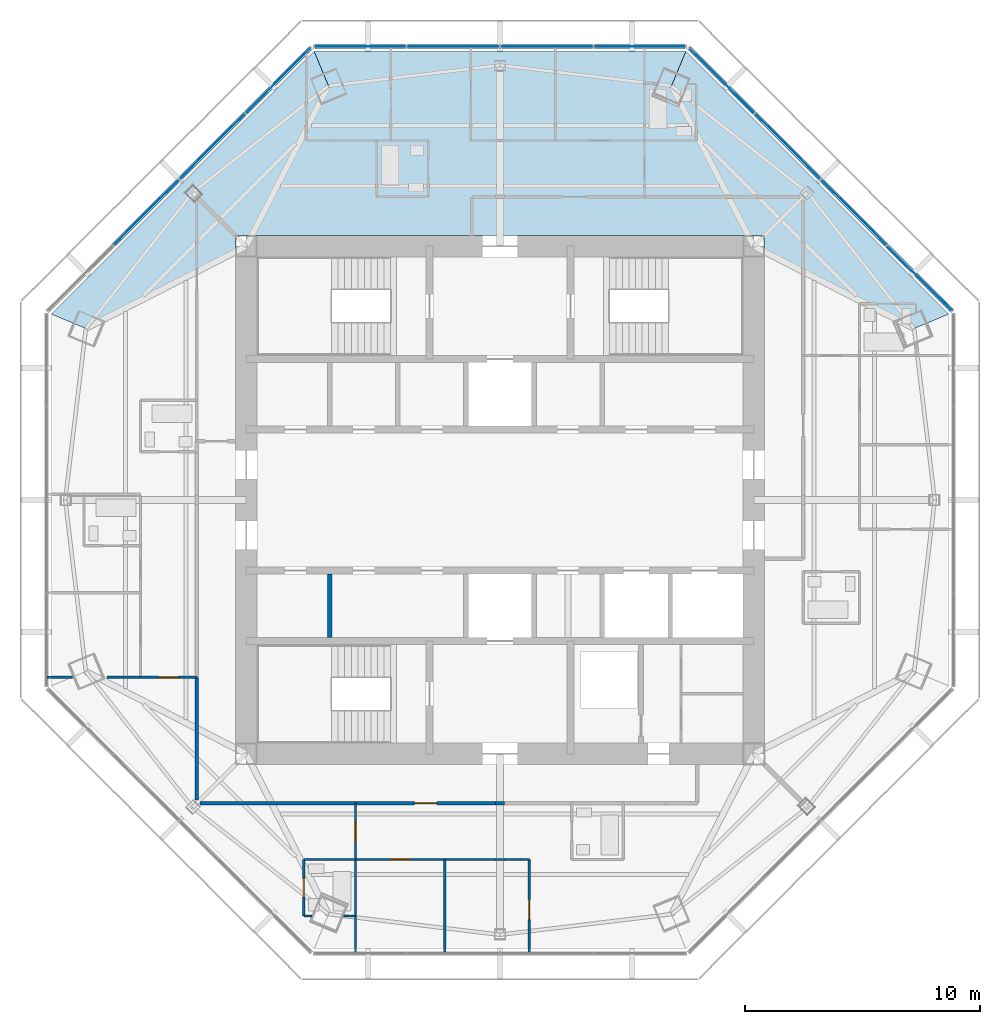
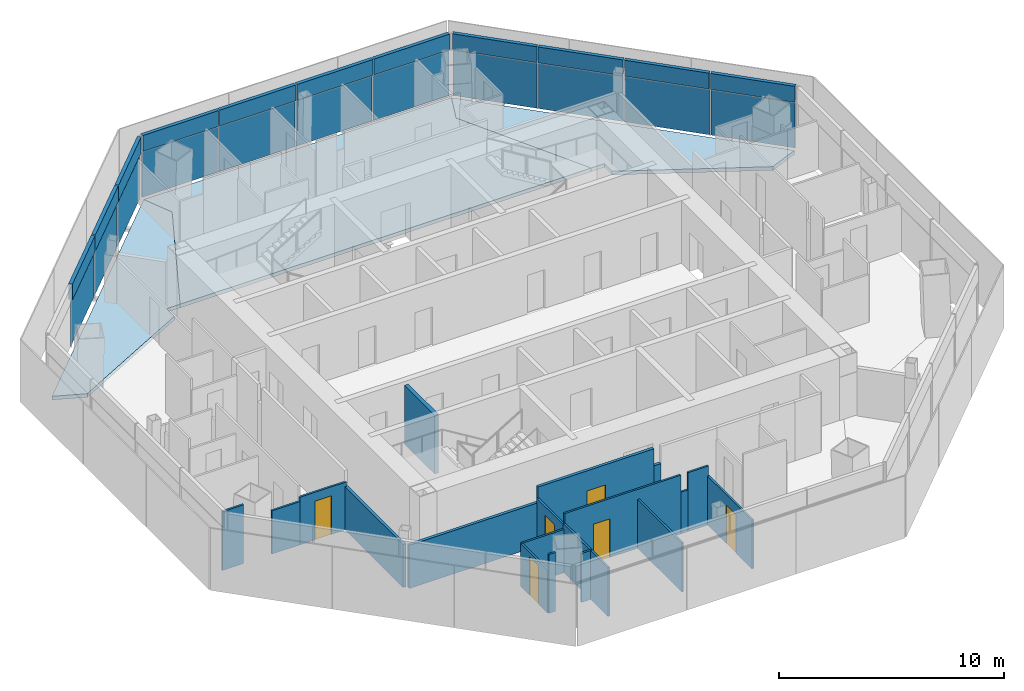
# One storey, part 8 of 15: 22 plates, 20 walls, 6 doors, 3 slabs, 6 openings, 3 elements without a shape of their own.
"""IFC4 building model written with IfcOpenShell, lengths in metres."""

import ifcopenshell
import ifcopenshell.guid

model = None  # the IFC model being written
_history = None  # IfcOwnerHistory: only IFC2X3 demands one
_inside = {}  # id of a spatial element -> (the spatial element, [elements in it])
_under = {}  # id of a project, library or spatial element -> (it, [spatial elements below it])
_declared = {}  # id of a project -> (the project, [libraries it declares])
_typed = {}  # id of a type object -> (the type object, [elements of that type])
_made_of = {}  # id of a material, layer set ... -> (it, [elements and type objects made of it])


def new_model(schema):
    """Start an empty IFC model of exactly this schema.

    Asked for "IFC4X3", IfcOpenShell would pick the latest addendum, in which some entities
    have other attributes; the version numbers below select the first issue.
    IFC2X3 requires an IfcOwnerHistory on every rooted entity: one is made here for all.
    """
    global model, _history
    if schema == "IFC4X3":
        model = ifcopenshell.file(schema_version=(4, 3, 0, 0))
    else:
        model = ifcopenshell.file(schema=schema)
    _inside.clear()
    _under.clear()
    _declared.clear()
    _typed.clear()
    _made_of.clear()
    _history = None
    if model.schema == "IFC2X3":
        org = make("IfcOrganization", Name="unknown")
        user = make(
            "IfcPersonAndOrganization",
            ThePerson=make("IfcPerson", FamilyName="unknown"),
            TheOrganization=org,
        )
        app = make(
            "IfcApplication",
            ApplicationDeveloper=org,
            Version="unknown",
            ApplicationFullName="unknown",
            ApplicationIdentifier="unknown",
        )
        _history = make(
            "IfcOwnerHistory",
            OwningUser=user,
            OwningApplication=app,
            ChangeAction="ADDED",
            CreationDate=0,
        )
    return model


def make(cls, **values):
    """One entity of the class cls with the attributes given. An attribute that is None is left unset."""
    return model.create_entity(
        cls, **{name: value for name, value in values.items() if value is not None}
    )


def rooted(cls, **values):
    """An entity with a GlobalId (a new one), such as an element, a storey or a relation."""
    return make(cls, GlobalId=ifcopenshell.guid.new(), OwnerHistory=_history, **values)


def si_unit(unit_type, name, prefix=None):
    """IfcSIUnit, for example si_unit("LENGTHUNIT", "METRE", prefix="MILLI")."""
    return make("IfcSIUnit", UnitType=unit_type, Prefix=prefix, Name=name)


def assignment(units):
    """IfcUnitAssignment: the units of a project."""
    return None if units is None else make("IfcUnitAssignment", Units=units)


def point(xyz):
    """IfcCartesianPoint."""
    return None if xyz is None else make("IfcCartesianPoint", Coordinates=xyz)


def direction(xyz):
    """IfcDirection."""
    return None if xyz is None else make("IfcDirection", DirectionRatios=xyz)


def frame(location, z_axis=None, x_axis=None):
    """IfcAxis2Placement3D, a coordinate frame: its origin and axes. An axis left out is left unset."""
    return make(
        "IfcAxis2Placement3D",
        Location=point(location),
        Axis=direction(z_axis),
        RefDirection=direction(x_axis),
    )


def frame_2d(location, x_axis=None):
    """IfcAxis2Placement2D, a coordinate frame in the plane: its origin and x axis."""
    return make(
        "IfcAxis2Placement2D", Location=point(location), RefDirection=direction(x_axis)
    )


def origin():
    """The frame at (0, 0, 0) with its axes left unset."""
    return frame((0.0, 0.0, 0.0))


def origin_2d():
    """The frame at (0, 0) in the plane with its x axis left unset."""
    return frame_2d((0.0, 0.0))


def place(relative_to, where):
    """IfcLocalPlacement: puts the frame where relative to a parent placement (None: the world)."""
    return make(
        "IfcLocalPlacement", PlacementRelTo=relative_to, RelativePlacement=where
    )


def context(
    kind, dimensions, precision=None, world=None, true_north=None, identifier=None
):
    """IfcGeometricRepresentationContext, for example the 3D "Model" context."""
    return make(
        "IfcGeometricRepresentationContext",
        ContextIdentifier=identifier,
        ContextType=kind,
        CoordinateSpaceDimension=dimensions,
        Precision=precision,
        WorldCoordinateSystem=world,
        TrueNorth=true_north,
    )


def subcontext(parent, identifier, kind, view, scale=None):
    """IfcGeometricRepresentationSubContext, for example "Body" below "Model"."""
    return make(
        "IfcGeometricRepresentationSubContext",
        ContextIdentifier=identifier,
        ContextType=kind,
        ParentContext=parent,
        TargetScale=scale,
        TargetView=view,
    )


def project(units=None, contexts=None):
    """IfcProject with its units and contexts."""
    return rooted(
        "IfcProject",
        Name="project",
        RepresentationContexts=contexts,
        UnitsInContext=assignment(units),
    )


def spatial(cls, under=None, at=None, **own):
    """A site, building, storey or space (cls), placed at a placement, below another one or the project."""
    s = rooted(cls, ObjectPlacement=at, **own)
    if under is not None:
        _under.setdefault(under.id(), (under, []))[1].append(s)
    return s


def polyline(points):
    """IfcPolyline through the points."""
    return make("IfcPolyline", Points=[point(p) for p in points])


def profile(cls, at=None, kind="AREA", **sizes):
    """A parametric profile (cls). Its sizes go by their IFC names, for example OverallWidth=200.0."""
    return make(cls, ProfileType=kind, Position=at, **sizes)


def rectangle(**sizes):
    """IfcRectangleProfileDef."""
    return profile("IfcRectangleProfileDef", **sizes)


def outline(outer, holes=None, kind="AREA"):
    """IfcArbitraryClosedProfileDef: a profile drawn as a closed curve; with holes, ...WithVoids."""
    if holes is None:
        return make("IfcArbitraryClosedProfileDef", ProfileType=kind, OuterCurve=outer)
    return make(
        "IfcArbitraryProfileDefWithVoids",
        ProfileType=kind,
        OuterCurve=outer,
        InnerCurves=holes,
    )


def extrude(swept, where, along, depth):
    """IfcExtrudedAreaSolid: the profile swept, set in the frame where, extruded along a direction by depth."""
    return make(
        "IfcExtrudedAreaSolid",
        SweptArea=swept,
        Position=where,
        ExtrudedDirection=direction(along),
        Depth=depth,
    )


def shape(context_of_items, identifier, shape_type, items):
    """IfcShapeRepresentation: the items that make up one representation, for example the "Body"."""
    return make(
        "IfcShapeRepresentation",
        ContextOfItems=context_of_items,
        RepresentationIdentifier=identifier,
        RepresentationType=shape_type,
        Items=items,
    )


def source(mapping_origin, context_of_items, identifier, shape_type, items):
    """IfcRepresentationMap: a shape defined once, which mapped items show again and again."""
    return make(
        "IfcRepresentationMap",
        MappingOrigin=mapping_origin,
        MappedRepresentation=shape(context_of_items, identifier, shape_type, items),
    )


def transform(
    local_origin,
    x_axis=None,
    y_axis=None,
    z_axis=None,
    scale=None,
    scale2=None,
    scale3=None,
    uniform=True,
):
    """IfcCartesianTransformationOperator3D, or its non-uniform kind. x_axis, y_axis, z_axis: its Axis1, 2, 3."""
    if uniform:
        return make(
            "IfcCartesianTransformationOperator3D",
            Axis1=direction(x_axis),
            Axis2=direction(y_axis),
            LocalOrigin=point(local_origin),
            Scale=scale,
            Axis3=direction(z_axis),
        )
    return make(
        "IfcCartesianTransformationOperator3DnonUniform",
        Axis1=direction(x_axis),
        Axis2=direction(y_axis),
        LocalOrigin=point(local_origin),
        Scale=scale,
        Axis3=direction(z_axis),
        Scale2=scale2,
        Scale3=scale3,
    )


def mapped(mapping_source, mapping_target):
    """IfcMappedItem: shows the shape of a source again, moved by a transform."""
    return make(
        "IfcMappedItem", MappingSource=mapping_source, MappingTarget=mapping_target
    )


def material(Name=None, Category=None):
    """IfcMaterial."""
    return make("IfcMaterial", Name=Name, Category=Category)


def layer(
    of_material, thickness, ventilated=None, Name=None, Category=None, Priority=None
):
    """IfcMaterialLayer: one layer of a wall or slab, of a material (None: an air gap)."""
    return make(
        "IfcMaterialLayer",
        Material=of_material,
        LayerThickness=thickness,
        IsVentilated=ventilated,
        Name=Name,
        Category=Category,
        Priority=Priority,
    )


def layer_set(layers, Name=None):
    """IfcMaterialLayerSet."""
    return make("IfcMaterialLayerSet", MaterialLayers=layers, LayerSetName=Name)


def made_of(thing, what):
    """Note that an element or type object is made of a material, layer set ...; save() writes the relation."""
    if what is not None:
        _made_of.setdefault(what.id(), (what, []))[1].append(thing)
    return thing


def type_object(cls, material=None, **own):
    """A type object (cls), such as IfcWallType, which elements share."""
    return made_of(rooted(cls, **own), material)


def type_shapes(of_type, sources):
    """Give a type object the sources (RepresentationMaps) that its elements show as mapped items."""
    of_type.RepresentationMaps = sources


def element(
    cls,
    number,
    at=None,
    inside=None,
    cuts=None,
    type_object=None,
    material=None,
    context=None,
    identifier="Body",
    shape_type=None,
    held_by="IfcProductDefinitionShape",
    body=None,
    shapes=None,
    **own,
):
    """One element of the class cls, such as IfcWall. Its Tag is "e" and its number.

    at: its placement. inside: the storey or other place that contains it. cuts: it is an
    opening in that element (IfcRelVoidsElement). A single representation is given by context,
    identifier, shape_type and body (its items); several are given by shapes. held_by: the class
    of the entity that holds the representations. save() writes the other relations.
    """
    e = rooted(cls, Tag="e%d" % number, ObjectPlacement=at, **own)
    if body is not None:
        shapes = [shape(context, identifier, shape_type, body)]
    if shapes is not None:
        e.Representation = make(held_by, Representations=shapes)
    if inside is not None:
        _inside.setdefault(inside.id(), (inside, []))[1].append(e)
    if cuts is not None:
        rooted(
            "IfcRelVoidsElement", RelatingBuildingElement=cuts, RelatedOpeningElement=e
        )
    if type_object is not None:
        _typed.setdefault(type_object.id(), (type_object, []))[1].append(e)
    return made_of(e, material)


def fill(opening, filler):
    """IfcRelFillsElement: the door or window that sits in an opening."""
    return rooted(
        "IfcRelFillsElement",
        RelatingOpeningElement=opening,
        RelatedBuildingElement=filler,
    )


def aggregate(whole, parts):
    """IfcRelAggregates: a whole, such as a stair, and the parts it consists of."""
    return rooted("IfcRelAggregates", RelatingObject=whole, RelatedObjects=parts)


def save(model, path):
    """Write the relations noted so far, then the file.

    IfcRelAggregates (storeys below a building ...), IfcRelContainedInSpatialStructure (elements
    in a storey), IfcRelDefinesByType, IfcRelAssociatesMaterial and IfcRelDeclares: one each for
    every whole, place, type object, material and project.
    """
    for whole, parts in _under.values():
        aggregate(whole, parts)
    for where, things in _inside.values():
        rooted(
            "IfcRelContainedInSpatialStructure",
            RelatedElements=things,
            RelatingStructure=where,
        )
    for kind, things in _typed.values():
        rooted("IfcRelDefinesByType", RelatedObjects=things, RelatingType=kind)
    for what, things in _made_of.values():
        rooted("IfcRelAssociatesMaterial", RelatedObjects=things, RelatingMaterial=what)
    for by, libraries in _declared.values():
        rooted("IfcRelDeclares", RelatingContext=by, RelatedDefinitions=libraries)
    model.write(path)


model = new_model("IFC4")

# Units and contexts
model_context = context("Model", 3, precision=1e-05, world=origin(), true_north=direction((0.0, 1.0)))
body_context = subcontext(model_context, "Body", "Model", "MODEL_VIEW")
ifc_project = project(units=[si_unit("LENGTHUNIT", "METRE"), si_unit("AREAUNIT", "SQUARE_METRE"), si_unit("VOLUMEUNIT", "CUBIC_METRE"), si_unit("PLANEANGLEUNIT", "RADIAN"), si_unit("MASSUNIT", "GRAM", prefix="KILO")], contexts=[model_context])

# Site, building, storey
site_placement = place(None, origin())
site = spatial("IfcSite", under=ifc_project, at=site_placement, CompositionType="ELEMENT")
building_placement = place(site_placement, origin())
building = spatial("IfcBuilding", under=site, at=building_placement, Name="Mashrafa Tower", CompositionType="ELEMENT")
storey_placement = place(building_placement, frame((0.0, 0.0, 308.199951171875)))
storey = spatial("IfcBuildingStorey", under=building, at=storey_placement, Name="L76", CompositionType="ELEMENT", Elevation=308.199951171875)

# Slabs
ifc_material_1 = material(Name="Concrete C35/45", Category="concrete")
ifc_layer_1 = layer(ifc_material_1, 0.199951171875)
ifc_layer_set_1 = layer_set([ifc_layer_1], Name="Floor slab 200")
slab_type = type_object("IfcSlabType", Name="Floor slab 200", PredefinedType="FLOOR", material=ifc_layer_set_1)
slab_1_placement = place(storey_placement, frame((0.0, 0.0, -0.199951171875)))
element("IfcSlab", 1, at=slab_1_placement, inside=storey, type_object=slab_type, Name="Floor slab L76 north-east bay", PredefinedType="FLOOR", context=body_context, shape_type="SweptSolid", body=[
    extrude(outline(polyline([(7.909912109375, 19.09619140625), (19.09619140625, 7.909912109375), (19.09619140625, 7.909912109375), (17.62353515625, 7.2998046875), (11.25, 10.569091796875), (11.25, 11.25), (10.569091796875, 11.25), (7.2998046875, 17.62353515625), (7.909912109375, 19.09619140625), (7.909912109375, 19.09619140625)])), origin(), (0.0, 0.0, 1.0), 0.199951171875),
])
slab_2_placement = place(storey_placement, frame((0.0, 0.0, -0.199951171875)))
element("IfcSlab", 2, at=slab_2_placement, inside=storey, type_object=slab_type, Name="Floor slab L76 north bay", PredefinedType="FLOOR", context=body_context, shape_type="SweptSolid", body=[
    extrude(outline(polyline([(7.909912109375, 19.09619140625), (7.2998046875, 17.62353515625), (10.569091796875, 11.25), (-10.569091796875, 11.25), (-7.2998046875, 17.62353515625), (-7.909912109375, 19.09619140625), (7.909912109375, 19.09619140625)])), origin(), (0.0, 0.0, 1.0), 0.199951171875),
])
slab_3_placement = place(storey_placement, frame((0.0, 0.0, -0.199951171875)))
element("IfcSlab", 3, at=slab_3_placement, inside=storey, type_object=slab_type, Name="Floor slab L76 north-west bay", PredefinedType="FLOOR", context=body_context, shape_type="SweptSolid", body=[
    extrude(outline(polyline([(-19.09619140625, 7.909912109375), (-7.909912109375, 19.09619140625), (-7.909912109375, 19.09619140625), (-7.2998046875, 17.62353515625), (-10.569091796875, 11.25), (-11.25, 11.25), (-11.25, 10.569091796875), (-17.62353515625, 7.2998046875), (-19.09619140625, 7.909912109375), (-19.09619140625, 7.909912109375)])), origin(), (0.0, 0.0, 1.0), 0.199951171875),
])

# Curtain wall, plates
ifc_material_2 = material(Name="Unitised aluminium curtain wall", Category="aluminium")
curtain_wall_type = type_object("IfcCurtainWallType", Name="Apartment curtain wall, zone 4 CW-D 160 deep", PredefinedType="NOTDEFINED", material=ifc_material_2)
curtain_wall_1_placement = place(storey_placement, origin())
curtain_wall_1 = element("IfcCurtainWall", 4, at=curtain_wall_1_placement, inside=storey, type_object=curtain_wall_type, Name="Apartment curtain wall, zone 4 L76 north-east", PredefinedType="NOTDEFINED")
ifc_material_3 = material(Name="Insulated double glazing, acoustic", Category="glass")
ifc_layer_2 = layer(ifc_material_3, 0.028076171875)
ifc_layer_set_2 = layer_set([ifc_layer_2], Name="Vision panel CW-D 28")
plate_type_1 = type_object("IfcPlateType", Name="Vision panel CW-D 28", PredefinedType="CURTAIN_PANEL", material=ifc_layer_set_2)
shared_shape_1 = source(origin(), body_context, "Body", "SweptSolid", [
    extrude(rectangle(XDim=3.884765625, YDim=0.028076171875, at=origin_2d()), origin(), (0.0, 0.0, 1.0), 2.46240234375),
])
plate_1_placement = place(storey_placement, frame((17.849853515625, 9.439208984375, 0.0), z_axis=(0.0, 0.0, 1.0), x_axis=(-0.707106781187, 0.707106781187, 0.0)))
plate_1 = element("IfcPlate", 5, at=plate_1_placement, type_object=plate_type_1, Name="CW-D vision panel 1", PredefinedType="CURTAIN_PANEL", context=body_context, shape_type="MappedRepresentation", body=[
    mapped(shared_shape_1, transform((0.0, 0.0, 0.0))),
])
plate_2_placement = place(storey_placement, frame((9.439208984375, 17.849853515625, 0.0), z_axis=(0.0, 0.0, 1.0), x_axis=(-0.707106781187, 0.707106781187, 0.0)))
plate_2 = element("IfcPlate", 6, at=plate_2_placement, type_object=plate_type_1, Name="CW-D vision panel 4", PredefinedType="CURTAIN_PANEL", context=body_context, shape_type="MappedRepresentation", body=[
    mapped(shared_shape_1, transform((0.0, 0.0, 0.0))),
])

curtain_wall_2_placement = place(storey_placement, origin())
curtain_wall_2 = element("IfcCurtainWall", 7, at=curtain_wall_2_placement, inside=storey, type_object=curtain_wall_type, Name="Apartment curtain wall, zone 4 L76 north", PredefinedType="NOTDEFINED")
plate_3_placement = place(storey_placement, frame((5.947265625, 19.296142578125, 0.0), z_axis=(0.0, 0.0, 1.0), x_axis=(-1.0, 0.0, 0.0)))
plate_3 = element("IfcPlate", 8, at=plate_3_placement, type_object=plate_type_1, Name="CW-D vision panel 1", PredefinedType="CURTAIN_PANEL", context=body_context, shape_type="MappedRepresentation", body=[
    mapped(shared_shape_1, transform((0.0, 0.0, 0.0))),
])
plate_4_placement = place(storey_placement, frame((-5.947265625, 19.296142578125, 0.0), z_axis=(0.0, 0.0, 1.0), x_axis=(-1.0, 0.0, 0.0)))
plate_4 = element("IfcPlate", 9, at=plate_4_placement, type_object=plate_type_1, Name="CW-D vision panel 4", PredefinedType="CURTAIN_PANEL", context=body_context, shape_type="MappedRepresentation", body=[
    mapped(shared_shape_1, transform((0.0, 0.0, 0.0))),
])

# Curtain wall, plate
curtain_wall_3_placement = place(storey_placement, origin())
curtain_wall_3 = element("IfcCurtainWall", 10, at=curtain_wall_3_placement, inside=storey, type_object=curtain_wall_type, Name="Apartment curtain wall, zone 4 L76 north-west", PredefinedType="NOTDEFINED")
plate_5_placement = place(storey_placement, frame((-9.439208984375, 17.849853515625, 0.0), z_axis=(0.0, 0.0, 1.0), x_axis=(-0.707106781187, -0.707106781187, 0.0)))
plate_5 = element("IfcPlate", 11, at=plate_5_placement, type_object=plate_type_1, Name="CW-D vision panel 1", PredefinedType="CURTAIN_PANEL", context=body_context, shape_type="MappedRepresentation", body=[
    mapped(shared_shape_1, transform((0.0, 0.0, 0.0))),
])

# Plate
ifc_material_4 = material(Name="Insulated bronze aluminium spandrel panel", Category="aluminium")
ifc_layer_3 = layer(ifc_material_4, 0.179931640625)
ifc_layer_set_3 = layer_set([ifc_layer_3], Name="Spandrel panel CW-D 180")
plate_type_2 = type_object("IfcPlateType", Name="Spandrel panel CW-D 180", PredefinedType="CURTAIN_PANEL", material=ifc_layer_set_3)
shared_shape_2 = source(origin(), body_context, "Body", "SweptSolid", [
    extrude(rectangle(XDim=3.884765625, YDim=0.179931640625, at=origin_2d()), origin(), (0.0, 0.0, 1.0), 0.862548828125),
])
plate_6_placement = place(storey_placement, frame((17.849853515625, 9.439208984375, 2.53759765625), z_axis=(0.0, 0.0, 1.0), x_axis=(-0.707106781187, 0.707106781187, 0.0)))
plate_6 = element("IfcPlate", 12, at=plate_6_placement, type_object=plate_type_2, Name="CW-D spandrel panel 1", PredefinedType="CURTAIN_PANEL", context=body_context, shape_type="MappedRepresentation", body=[
    mapped(shared_shape_2, transform((0.0, 0.0, 0.0))),
])

plate_7_placement = place(storey_placement, frame((9.439208984375, 17.849853515625, 2.53759765625), z_axis=(0.0, 0.0, 1.0), x_axis=(-0.707106781187, 0.707106781187, 0.0)))
plate_7 = element("IfcPlate", 13, at=plate_7_placement, type_object=plate_type_2, Name="CW-D spandrel panel 4", PredefinedType="CURTAIN_PANEL", context=body_context, shape_type="MappedRepresentation", body=[
    mapped(shared_shape_2, transform((0.0, 0.0, 0.0))),
])

plate_8_placement = place(storey_placement, frame((5.947265625, 19.296142578125, 2.53759765625), z_axis=(0.0, 0.0, 1.0), x_axis=(-1.0, 0.0, 0.0)))
plate_8 = element("IfcPlate", 14, at=plate_8_placement, type_object=plate_type_2, Name="CW-D spandrel panel 1", PredefinedType="CURTAIN_PANEL", context=body_context, shape_type="MappedRepresentation", body=[
    mapped(shared_shape_2, transform((0.0, 0.0, 0.0))),
])

plate_9_placement = place(storey_placement, frame((-5.947265625, 19.296142578125, 2.53759765625), z_axis=(0.0, 0.0, 1.0), x_axis=(-1.0, 0.0, 0.0)))
plate_9 = element("IfcPlate", 15, at=plate_9_placement, type_object=plate_type_2, Name="CW-D spandrel panel 4", PredefinedType="CURTAIN_PANEL", context=body_context, shape_type="MappedRepresentation", body=[
    mapped(shared_shape_2, transform((0.0, 0.0, 0.0))),
])

plate_10_placement = place(storey_placement, frame((-9.439208984375, 17.849853515625, 2.53759765625), z_axis=(0.0, 0.0, 1.0), x_axis=(-0.707106781187, -0.707106781187, 0.0)))
plate_10 = element("IfcPlate", 16, at=plate_10_placement, type_object=plate_type_2, Name="CW-D spandrel panel 1", PredefinedType="CURTAIN_PANEL", context=body_context, shape_type="MappedRepresentation", body=[
    mapped(shared_shape_2, transform((0.0, 0.0, 0.0))),
])

shared_shape_3 = source(origin(), body_context, "Body", "SweptSolid", [
    extrude(rectangle(XDim=3.914794921875, YDim=0.028076171875, at=origin_2d()), origin(), (0.0, 0.0, 1.0), 2.46240234375),
])
type_shapes(plate_type_1, [shared_shape_1, shared_shape_3])
plate_11_placement = place(storey_placement, frame((15.0498046875, 12.2392578125, 0.0), z_axis=(0.0, 0.0, 1.0), x_axis=(-0.707106781187, 0.707106781187, 0.0)))
plate_11 = element("IfcPlate", 17, at=plate_11_placement, type_object=plate_type_1, Name="CW-D vision panel 2", PredefinedType="CURTAIN_PANEL", context=body_context, shape_type="MappedRepresentation", body=[
    mapped(shared_shape_3, transform((0.0, 0.0, 0.0))),
])

plate_12_placement = place(storey_placement, frame((12.2392578125, 15.0498046875, 0.0), z_axis=(0.0, 0.0, 1.0), x_axis=(-0.707106781187, 0.707106781187, 0.0)))
plate_12 = element("IfcPlate", 18, at=plate_12_placement, type_object=plate_type_1, Name="CW-D vision panel 3", PredefinedType="CURTAIN_PANEL", context=body_context, shape_type="MappedRepresentation", body=[
    mapped(shared_shape_3, transform((0.0, 0.0, 0.0))),
])

plate_13_placement = place(storey_placement, frame((1.9873046875, 19.296142578125, 0.0), z_axis=(0.0, 0.0, 1.0), x_axis=(-1.0, 0.0, 0.0)))
plate_13 = element("IfcPlate", 19, at=plate_13_placement, type_object=plate_type_1, Name="CW-D vision panel 2", PredefinedType="CURTAIN_PANEL", context=body_context, shape_type="MappedRepresentation", body=[
    mapped(shared_shape_3, transform((0.0, 0.0, 0.0))),
])

plate_14_placement = place(storey_placement, frame((-1.9873046875, 19.296142578125, 0.0), z_axis=(0.0, 0.0, 1.0), x_axis=(-1.0, 0.0, 0.0)))
plate_14 = element("IfcPlate", 20, at=plate_14_placement, type_object=plate_type_1, Name="CW-D vision panel 3", PredefinedType="CURTAIN_PANEL", context=body_context, shape_type="MappedRepresentation", body=[
    mapped(shared_shape_3, transform((0.0, 0.0, 0.0))),
])

plate_15_placement = place(storey_placement, frame((-12.2392578125, 15.0498046875, 0.0), z_axis=(0.0, 0.0, 1.0), x_axis=(-0.707106781187, -0.707106781187, 0.0)))
plate_15 = element("IfcPlate", 21, at=plate_15_placement, type_object=plate_type_1, Name="CW-D vision panel 2", PredefinedType="CURTAIN_PANEL", context=body_context, shape_type="MappedRepresentation", body=[
    mapped(shared_shape_3, transform((0.0, 0.0, 0.0))),
])

plate_16_placement = place(storey_placement, frame((-15.0498046875, 12.2392578125, 0.0), z_axis=(0.0, 0.0, 1.0), x_axis=(-0.707106781187, -0.707106781187, 0.0)))
plate_16 = element("IfcPlate", 22, at=plate_16_placement, type_object=plate_type_1, Name="CW-D vision panel 3", PredefinedType="CURTAIN_PANEL", context=body_context, shape_type="MappedRepresentation", body=[
    mapped(shared_shape_3, transform((0.0, 0.0, 0.0))),
])

shared_shape_4 = source(origin(), body_context, "Body", "SweptSolid", [
    extrude(rectangle(XDim=3.914794921875, YDim=0.179931640625, at=origin_2d()), origin(), (0.0, 0.0, 1.0), 0.862548828125),
])
type_shapes(plate_type_2, [shared_shape_2, shared_shape_4])
plate_17_placement = place(storey_placement, frame((15.0498046875, 12.2392578125, 2.53759765625), z_axis=(0.0, 0.0, 1.0), x_axis=(-0.707106781187, 0.707106781187, 0.0)))
plate_17 = element("IfcPlate", 23, at=plate_17_placement, type_object=plate_type_2, Name="CW-D spandrel panel 2", PredefinedType="CURTAIN_PANEL", context=body_context, shape_type="MappedRepresentation", body=[
    mapped(shared_shape_4, transform((0.0, 0.0, 0.0))),
])

plate_18_placement = place(storey_placement, frame((12.2392578125, 15.0498046875, 2.53759765625), z_axis=(0.0, 0.0, 1.0), x_axis=(-0.707106781187, 0.707106781187, 0.0)))
plate_18 = element("IfcPlate", 24, at=plate_18_placement, type_object=plate_type_2, Name="CW-D spandrel panel 3", PredefinedType="CURTAIN_PANEL", context=body_context, shape_type="MappedRepresentation", body=[
    mapped(shared_shape_4, transform((0.0, 0.0, 0.0))),
])

aggregate(curtain_wall_1, [plate_1, plate_6, plate_11, plate_17, plate_12, plate_18, plate_2, plate_7])

plate_19_placement = place(storey_placement, frame((1.9873046875, 19.296142578125, 2.53759765625), z_axis=(0.0, 0.0, 1.0), x_axis=(-1.0, 0.0, 0.0)))
plate_19 = element("IfcPlate", 25, at=plate_19_placement, type_object=plate_type_2, Name="CW-D spandrel panel 2", PredefinedType="CURTAIN_PANEL", context=body_context, shape_type="MappedRepresentation", body=[
    mapped(shared_shape_4, transform((0.0, 0.0, 0.0))),
])

plate_20_placement = place(storey_placement, frame((-1.9873046875, 19.296142578125, 2.53759765625), z_axis=(0.0, 0.0, 1.0), x_axis=(-1.0, 0.0, 0.0)))
plate_20 = element("IfcPlate", 26, at=plate_20_placement, type_object=plate_type_2, Name="CW-D spandrel panel 3", PredefinedType="CURTAIN_PANEL", context=body_context, shape_type="MappedRepresentation", body=[
    mapped(shared_shape_4, transform((0.0, 0.0, 0.0))),
])

aggregate(curtain_wall_2, [plate_3, plate_8, plate_13, plate_19, plate_14, plate_20, plate_4, plate_9])

plate_21_placement = place(storey_placement, frame((-12.2392578125, 15.0498046875, 2.53759765625), z_axis=(0.0, 0.0, 1.0), x_axis=(-0.707106781187, -0.707106781187, 0.0)))
plate_21 = element("IfcPlate", 27, at=plate_21_placement, type_object=plate_type_2, Name="CW-D spandrel panel 2", PredefinedType="CURTAIN_PANEL", context=body_context, shape_type="MappedRepresentation", body=[
    mapped(shared_shape_4, transform((0.0, 0.0, 0.0))),
])

plate_22_placement = place(storey_placement, frame((-15.0498046875, 12.2392578125, 2.53759765625), z_axis=(0.0, 0.0, 1.0), x_axis=(-0.707106781187, -0.707106781187, 0.0)))
plate_22 = element("IfcPlate", 28, at=plate_22_placement, type_object=plate_type_2, Name="CW-D spandrel panel 3", PredefinedType="CURTAIN_PANEL", context=body_context, shape_type="MappedRepresentation", body=[
    mapped(shared_shape_4, transform((0.0, 0.0, 0.0))),
])

aggregate(curtain_wall_3, [plate_5, plate_10, plate_15, plate_21, plate_16, plate_22])

# Walls
ifc_material_5 = material(Name="Gypsum board on steel studs", Category="steel")
ifc_layer_4 = layer(ifc_material_5, 0.14990234375)
ifc_layer_set_4 = layer_set([ifc_layer_4], Name="Corridor partition 150 1 hr")
wall_type_1 = type_object("IfcWallType", Name="Corridor partition 150 1 hr", PredefinedType="PARTITIONING", material=ifc_layer_set_4)
wall_1_placement = place(storey_placement, frame((-12.89990234375, -7.549072265625, 0.0), z_axis=(0.0, 0.0, 1.0), x_axis=(0.0, -1.0, 0.0)))
element("IfcWall", 29, at=wall_1_placement, inside=storey, type_object=wall_type_1, Name="Corridor wall L76-012", PredefinedType="PARTITIONING", context=body_context, shape_type="SweptSolid", body=[
    extrude(rectangle(XDim=5.227294921875, YDim=0.14990234375, at=frame_2d((2.61376953125, 0.0))), origin(), (0.0, 0.0, 1.0), 2.349365234375),
])
wall_2_placement = place(storey_placement, frame((-12.7763671875, -12.89990234375, 0.0), z_axis=(0.0, 0.0, 1.0), x_axis=(1.0, 0.0, 0.0)))
element("IfcWall", 30, at=wall_2_placement, inside=storey, type_object=wall_type_1, Name="Corridor wall L76-018", PredefinedType="PARTITIONING", context=body_context, shape_type="SweptSolid", body=[
    extrude(rectangle(XDim=6.62744140625, YDim=0.14990234375, at=frame_2d((3.313720703125, 0.0))), origin(), (0.0, 0.0, 1.0), 2.349365234375),
])

# Wall, opening, door
wall_3_placement = place(storey_placement, frame((-6.15087890625, -12.89990234375, 0.0), z_axis=(0.0, 0.0, 1.0), x_axis=(1.0, 0.0, 0.0)))
wall_3 = element("IfcWall", 31, at=wall_3_placement, inside=storey, type_object=wall_type_1, Name="Corridor wall L76-019", PredefinedType="PARTITIONING", context=body_context, shape_type="SweptSolid", body=[
    extrude(rectangle(XDim=5.968505859375, YDim=0.14990234375, at=frame_2d((2.984375, 0.0))), origin(), (0.0, 0.0, 1.0), 3.199951171875),
])
opening_1_placement = place(wall_3_placement, frame((2.50927734375, 0.0, 0.0)))
opening_1 = element("IfcOpeningElement", 32, at=opening_1_placement, cuts=wall_3, Name="Opening 76.025", PredefinedType="OPENING", context=body_context, shape_type="SweptSolid", body=[
    extrude(rectangle(XDim=0.949951171875, YDim=2.10009765625, at=frame_2d((0.47509765625, 1.050048828125))), frame((0.0, 0.0849609375, 0.0), z_axis=(0.0, -1.0, 0.0), x_axis=(1.0, 0.0, 0.0)), (0.0, 0.0, 1.0), 0.169921875),
])
ifc_material_6 = material(Name="Steel door", Category="steel")
door_type_1 = type_object("IfcDoorType", Name="Residence entrance door 950 x 2100 20 min", OperationType="USERDEFINED", PredefinedType="DOOR", material=ifc_material_6)
door_1_placement = place(opening_1_placement, frame((0.949951171875, 0.0, 0.0), z_axis=(0.0, 0.0, 1.0), x_axis=(-1.0, 0.0, 0.0)))
door_1 = element("IfcDoor", 33, at=door_1_placement, inside=storey, type_object=door_type_1, Name="Apartment 7604 Living Room door", OperationType="SINGLE_SWING_RIGHT", OverallHeight=2.10009765625, OverallWidth=0.949951171875, PredefinedType="DOOR", context=body_context, shape_type="SweptSolid", body=[
    extrude(rectangle(XDim=0.949951171875, YDim=2.10009765625, at=frame_2d((0.47509765625, 1.050048828125))), frame((0.0, 0.02490234375, 0.0), z_axis=(0.0, -1.0, 0.0), x_axis=(1.0, 0.0, 0.0)), (0.0, 0.0, 1.0), 0.050048828125),
])
fill(opening_1, door_1)

# Walls
wall_4_placement = place(storey_placement, frame((-0.182373046875, -12.89990234375, 0.0), z_axis=(0.0, 0.0, 1.0), x_axis=(1.0, 0.0, 0.0)))
element("IfcWall", 34, at=wall_4_placement, inside=storey, type_object=wall_type_1, Name="Corridor wall L76-021", PredefinedType="PARTITIONING", context=body_context, shape_type="SweptSolid", body=[
    extrude(rectangle(XDim=0.36474609375, YDim=0.14990234375, at=frame_2d((0.182373046875, 0.0))), origin(), (0.0, 0.0, 1.0), 2.26806640625),
])
ifc_material_7 = material(Name="Gypsum board on steel studs", Category="steel")
ifc_layer_5 = layer(ifc_material_7, 0.10009765625)
ifc_layer_set_5 = layer_set([ifc_layer_5], Name="Partition 100")
wall_type_2 = type_object("IfcWallType", Name="Partition 100", PredefinedType="PARTITIONING", material=ifc_layer_set_5)
wall_5_placement = place(storey_placement, frame((-19.2783203125, -7.550048828125, 0.0), z_axis=(0.0, 0.0, 1.0), x_axis=(1.0, 0.0, 0.0)))
element("IfcWall", 35, at=wall_5_placement, inside=storey, type_object=wall_type_2, Name="Partition wall L76-080", PredefinedType="PARTITIONING", context=body_context, shape_type="SweptSolid", body=[
    extrude(rectangle(XDim=1.0947265625, YDim=0.10009765625, at=frame_2d((0.54736328125, 0.0))), origin(), (0.0, 0.0, 1.0), 3.199951171875),
])
wall_6_placement = place(storey_placement, frame((-16.73046875, -7.550048828125, 0.0), z_axis=(0.0, 0.0, 1.0), x_axis=(1.0, 0.0, 0.0)))
element("IfcWall", 36, at=wall_6_placement, inside=storey, type_object=wall_type_2, Name="Partition wall L76-081", PredefinedType="PARTITIONING", context=body_context, shape_type="SweptSolid", body=[
    extrude(rectangle(XDim=1.430419921875, YDim=0.10009765625, at=frame_2d((0.71533203125, 0.0))), origin(), (0.0, 0.0, 1.0), 2.349365234375),
])

# Wall, opening, door
wall_7_placement = place(storey_placement, frame((-12.89990234375, -7.550048828125, 0.0), z_axis=(0.0, 0.0, 1.0), x_axis=(-1.0, 0.0, 0.0)))
wall_7 = element("IfcWall", 37, at=wall_7_placement, inside=storey, type_object=wall_type_2, Name="Partition wall L76-083", PredefinedType="PARTITIONING", context=body_context, shape_type="SweptSolid", body=[
    extrude(rectangle(XDim=2.401123046875, YDim=0.10009765625, at=frame_2d((1.20068359375, 0.0))), origin(), (0.0, 0.0, 1.0), 2.588134765625),
])
opening_2_placement = place(wall_7_placement, frame((0.775390625, 0.0, 0.0)))
opening_2 = element("IfcOpeningElement", 38, at=opening_2_placement, cuts=wall_7, Name="Opening 76.018", PredefinedType="OPENING", context=body_context, shape_type="SweptSolid", body=[
    extrude(rectangle(XDim=0.85009765625, YDim=2.10009765625, at=frame_2d((0.425048828125, 1.050048828125))), frame((0.0, 0.06005859375, 0.0), z_axis=(0.0, -1.0, 0.0), x_axis=(1.0, 0.0, 0.0)), (0.0, 0.0, 1.0), 0.1201171875),
])
ifc_material_8 = material(Name="Timber door", Category="wood")
door_type_2 = type_object("IfcDoorType", Name="Bedroom door 850 x 2100", OperationType="USERDEFINED", PredefinedType="DOOR", material=ifc_material_8)
door_2_placement = place(opening_2_placement, origin())
door_2 = element("IfcDoor", 39, at=door_2_placement, inside=storey, type_object=door_type_2, Name="Apartment 7603 Bedroom 3 door", OperationType="SINGLE_SWING_LEFT", OverallHeight=2.10009765625, OverallWidth=0.85009765625, PredefinedType="DOOR", context=body_context, shape_type="SweptSolid", body=[
    extrude(rectangle(XDim=0.85009765625, YDim=2.10009765625, at=frame_2d((0.425048828125, 1.050048828125))), frame((0.0, 0.02490234375, 0.0), z_axis=(0.0, -1.0, 0.0), x_axis=(1.0, 0.0, 0.0)), (0.0, 0.0, 1.0), 0.050048828125),
])
fill(opening_2, door_2)

# Wall
wall_8_placement = place(storey_placement, frame((-2.35009765625, -15.300048828125, 0.0), z_axis=(0.0, 0.0, 1.0), x_axis=(0.0, -1.0, 0.0)))
element("IfcWall", 40, at=wall_8_placement, inside=storey, type_object=wall_type_2, Name="Partition wall L76-088", PredefinedType="PARTITIONING", context=body_context, shape_type="SweptSolid", body=[
    extrude(rectangle(XDim=3.978271484375, YDim=0.10009765625, at=frame_2d((1.9892578125, 0.0))), origin(), (0.0, 0.0, 1.0), 2.65673828125),
])

# Wall, opening, door
wall_9_placement = place(storey_placement, frame((1.25, -19.2802734375, 0.0), z_axis=(0.0, 0.0, 1.0), x_axis=(0.0, 1.0, 0.0)))
wall_9 = element("IfcWall", 41, at=wall_9_placement, inside=storey, type_object=wall_type_2, Name="Partition wall L76-089", PredefinedType="PARTITIONING", context=body_context, shape_type="SweptSolid", body=[
    extrude(rectangle(XDim=3.980224609375, YDim=0.10009765625, at=frame_2d((1.990234375, 0.0))), origin(), (0.0, 0.0, 1.0), 2.65673828125),
])
opening_3_placement = place(wall_9_placement, frame((1.427001953125, 0.0, 0.0)))
opening_3 = element("IfcOpeningElement", 42, at=opening_3_placement, cuts=wall_9, Name="Opening 76.021", PredefinedType="OPENING", context=body_context, shape_type="SweptSolid", body=[
    extrude(rectangle(XDim=0.85009765625, YDim=2.10009765625, at=frame_2d((0.425048828125, 1.050048828125))), frame((0.0, 0.06005859375, 0.0), z_axis=(0.0, -1.0, 0.0), x_axis=(1.0, 0.0, 0.0)), (0.0, 0.0, 1.0), 0.1201171875),
])
door_3_placement = place(opening_3_placement, origin())
door_3 = element("IfcDoor", 43, at=door_3_placement, inside=storey, type_object=door_type_2, Name="Apartment 7604 Majlis door", OperationType="SINGLE_SWING_LEFT", OverallHeight=2.10009765625, OverallWidth=0.85009765625, PredefinedType="DOOR", context=body_context, shape_type="SweptSolid", body=[
    extrude(rectangle(XDim=0.85009765625, YDim=2.10009765625, at=frame_2d((0.425048828125, 1.050048828125))), frame((0.0, 0.02490234375, 0.0), z_axis=(0.0, -1.0, 0.0), x_axis=(1.0, 0.0, 0.0)), (0.0, 0.0, 1.0), 0.050048828125),
])
fill(opening_3, door_3)

# Wall
wall_10_placement = place(storey_placement, frame((1.25, -15.300048828125, 0.0), z_axis=(0.0, 0.0, 1.0), x_axis=(-1.0, 0.0, 0.0)))
element("IfcWall", 44, at=wall_10_placement, inside=storey, type_object=wall_type_2, Name="Partition wall L76-090", PredefinedType="PARTITIONING", context=body_context, shape_type="SweptSolid", body=[
    extrude(rectangle(XDim=1.067626953125, YDim=0.10009765625, at=frame_2d((0.53369140625, 0.0))), origin(), (0.0, 0.0, 1.0), 3.199951171875),
])

# Wall, opening, door
wall_11_placement = place(storey_placement, frame((-0.182373046875, -15.300048828125, 0.0), z_axis=(0.0, 0.0, 1.0), x_axis=(-1.0, 0.0, 0.0)))
wall_11 = element("IfcWall", 45, at=wall_11_placement, inside=storey, type_object=wall_type_2, Name="Partition wall L76-091", PredefinedType="PARTITIONING", context=body_context, shape_type="SweptSolid", body=[
    extrude(rectangle(XDim=5.967529296875, YDim=0.10009765625, at=frame_2d((2.98388671875, 0.0))), origin(), (0.0, 0.0, 1.0), 3.199951171875),
])
opening_4_placement = place(wall_11_placement, frame((3.642578125, 0.0, 0.0)))
opening_4 = element("IfcOpeningElement", 46, at=opening_4_placement, cuts=wall_11, Name="Opening 76.022", PredefinedType="OPENING", context=body_context, shape_type="SweptSolid", body=[
    extrude(rectangle(XDim=0.85009765625, YDim=2.10009765625, at=frame_2d((0.425048828125, 1.050048828125))), frame((0.0, 0.06005859375, 0.0), z_axis=(0.0, -1.0, 0.0), x_axis=(1.0, 0.0, 0.0)), (0.0, 0.0, 1.0), 0.1201171875),
])
door_4_placement = place(opening_4_placement, origin())
door_4 = element("IfcDoor", 47, at=door_4_placement, inside=storey, type_object=door_type_2, Name="Apartment 7604 Bedroom 1 door", OperationType="SINGLE_SWING_LEFT", OverallHeight=2.10009765625, OverallWidth=0.85009765625, PredefinedType="DOOR", context=body_context, shape_type="SweptSolid", body=[
    extrude(rectangle(XDim=0.85009765625, YDim=2.10009765625, at=frame_2d((0.425048828125, 1.050048828125))), frame((0.0, 0.02490234375, 0.0), z_axis=(0.0, -1.0, 0.0), x_axis=(1.0, 0.0, 0.0)), (0.0, 0.0, 1.0), 0.050048828125),
])
fill(opening_4, door_4)

# Walls
wall_12_placement = place(storey_placement, frame((0.182373046875, -15.300048828125, 0.0), z_axis=(0.0, 0.0, 1.0), x_axis=(-1.0, 0.0, 0.0)))
element("IfcWall", 48, at=wall_12_placement, inside=storey, type_object=wall_type_2, Name="Partition wall L76-092", PredefinedType="PARTITIONING", context=body_context, shape_type="SweptSolid", body=[
    extrude(rectangle(XDim=0.36474609375, YDim=0.10009765625, at=frame_2d((0.182373046875, 0.0))), origin(), (0.0, 0.0, 1.0), 2.26806640625),
])
wall_13_placement = place(storey_placement, frame((-6.14990234375, -15.300048828125, 0.0), z_axis=(0.0, 0.0, 1.0), x_axis=(0.0, -1.0, 0.0)))
element("IfcWall", 49, at=wall_13_placement, inside=storey, type_object=wall_type_2, Name="Partition wall L76-093", PredefinedType="PARTITIONING", context=body_context, shape_type="SweptSolid", body=[
    extrude(rectangle(XDim=2.40087890625, YDim=0.10009765625, at=frame_2d((1.200439453125, 0.0))), origin(), (0.0, 0.0, 1.0), 2.65673828125),
])
wall_14_placement = place(storey_placement, frame((-6.14990234375, -17.698974609375, 0.0), z_axis=(0.0, 0.0, 1.0), x_axis=(0.0, -1.0, 0.0)))
element("IfcWall", 50, at=wall_14_placement, inside=storey, type_object=wall_type_2, Name="Partition wall L76-094", PredefinedType="PARTITIONING", context=body_context, shape_type="SweptSolid", body=[
    extrude(rectangle(XDim=1.579345703125, YDim=0.10009765625, at=frame_2d((0.78955078125, 0.0))), origin(), (0.0, 0.0, 1.0), 2.664306640625),
])
wall_15_placement = place(storey_placement, frame((-6.14990234375, -15.300048828125, 0.0), z_axis=(0.0, 0.0, 1.0), x_axis=(-1.0, 0.0, 0.0)))
element("IfcWall", 51, at=wall_15_placement, inside=storey, type_object=wall_type_2, Name="Partition wall L76-096", PredefinedType="PARTITIONING", context=body_context, shape_type="SweptSolid", body=[
    extrude(rectangle(XDim=2.2001953125, YDim=0.10009765625, at=frame_2d((1.10009765625, 0.0))), origin(), (0.0, 0.0, 1.0), 2.349365234375),
])

# Wall, opening, door
wall_16_placement = place(storey_placement, frame((-8.35009765625, -15.300048828125, 0.0), z_axis=(0.0, 0.0, 1.0), x_axis=(0.0, -1.0, 0.0)))
wall_16 = element("IfcWall", 52, at=wall_16_placement, inside=storey, type_object=wall_type_2, Name="Partition wall L76-097", PredefinedType="PARTITIONING", context=body_context, shape_type="SweptSolid", body=[
    extrude(rectangle(XDim=2.39990234375, YDim=0.10009765625, at=frame_2d((1.199951171875, 0.0))), origin(), (0.0, 0.0, 1.0), 2.349365234375),
])
opening_5_placement = place(wall_16_placement, frame((0.800048828125, 0.0, 0.0)))
opening_5 = element("IfcOpeningElement", 53, at=opening_5_placement, cuts=wall_16, Name="Opening 76.023", PredefinedType="OPENING", context=body_context, shape_type="SweptSolid", body=[
    extrude(rectangle(XDim=0.800048828125, YDim=2.10009765625, at=frame_2d((0.39990234375, 1.050048828125))), frame((0.0, 0.06005859375, 0.0), z_axis=(0.0, -1.0, 0.0), x_axis=(1.0, 0.0, 0.0)), (0.0, 0.0, 1.0), 0.1201171875),
])
ifc_material_9 = material(Name="Timber door", Category="wood")
door_type_3 = type_object("IfcDoorType", Name="Bathroom door 800 x 2100", OperationType="USERDEFINED", PredefinedType="DOOR", material=ifc_material_9)
door_5_placement = place(opening_5_placement, origin())
door_5 = element("IfcDoor", 54, at=door_5_placement, inside=storey, type_object=door_type_3, Name="Apartment 7604 En-suite Bathroom door", OperationType="SINGLE_SWING_LEFT", OverallHeight=2.10009765625, OverallWidth=0.800048828125, PredefinedType="DOOR", context=body_context, shape_type="SweptSolid", body=[
    extrude(rectangle(XDim=0.800048828125, YDim=2.10009765625, at=frame_2d((0.39990234375, 1.050048828125))), frame((0.0, 0.02490234375, 0.0), z_axis=(0.0, -1.0, 0.0), x_axis=(1.0, 0.0, 0.0)), (0.0, 0.0, 1.0), 0.050048828125),
])
fill(opening_5, door_5)

# Walls
wall_17_placement = place(storey_placement, frame((-8.35009765625, -17.699951171875, 0.0), z_axis=(0.0, 0.0, 1.0), x_axis=(1.0, 0.0, 0.0)))
element("IfcWall", 55, at=wall_17_placement, inside=storey, type_object=wall_type_2, Name="Partition wall L76-098", PredefinedType="PARTITIONING", context=body_context, shape_type="SweptSolid", body=[
    extrude(rectangle(XDim=0.348388671875, YDim=0.10009765625, at=frame_2d((0.17431640625, 0.0))), origin(), (0.0, 0.0, 1.0), 3.199951171875),
])
wall_18_placement = place(storey_placement, frame((-6.66162109375, -17.699951171875, 0.0), z_axis=(0.0, 0.0, 1.0), x_axis=(1.0, 0.0, 0.0)))
element("IfcWall", 56, at=wall_18_placement, inside=storey, type_object=wall_type_2, Name="Partition wall L76-099", PredefinedType="PARTITIONING", context=body_context, shape_type="SweptSolid", body=[
    extrude(rectangle(XDim=0.51171875, YDim=0.10009765625, at=frame_2d((0.255859375, 0.0))), origin(), (0.0, 0.0, 1.0), 2.664306640625),
])

# Wall, opening, door
wall_19_placement = place(storey_placement, frame((-6.14990234375, -15.300048828125, 0.0), z_axis=(0.0, 0.0, 1.0), x_axis=(0.0, 1.0, 0.0)))
wall_19 = element("IfcWall", 57, at=wall_19_placement, inside=storey, type_object=wall_type_2, Name="Partition wall L76-100", PredefinedType="PARTITIONING", context=body_context, shape_type="SweptSolid", body=[
    extrude(rectangle(XDim=2.400146484375, YDim=0.10009765625, at=frame_2d((1.2001953125, 0.0))), origin(), (0.0, 0.0, 1.0), 2.588134765625),
])
opening_6_placement = place(wall_19_placement, frame((0.77490234375, 0.0, 0.0)))
opening_6 = element("IfcOpeningElement", 58, at=opening_6_placement, cuts=wall_19, Name="Opening 76.024", PredefinedType="OPENING", context=body_context, shape_type="SweptSolid", body=[
    extrude(rectangle(XDim=0.85009765625, YDim=2.10009765625, at=frame_2d((0.425048828125, 1.050048828125))), frame((0.0, 0.06005859375, 0.0), z_axis=(0.0, -1.0, 0.0), x_axis=(1.0, 0.0, 0.0)), (0.0, 0.0, 1.0), 0.1201171875),
])
door_6_placement = place(opening_6_placement, origin())
door_6 = element("IfcDoor", 59, at=door_6_placement, inside=storey, type_object=door_type_2, Name="Apartment 7604 Bedroom 2 door", OperationType="SINGLE_SWING_RIGHT", OverallHeight=2.10009765625, OverallWidth=0.85009765625, PredefinedType="DOOR", context=body_context, shape_type="SweptSolid", body=[
    extrude(rectangle(XDim=0.85009765625, YDim=2.10009765625, at=frame_2d((0.425048828125, 1.050048828125))), frame((0.0, 0.02490234375, 0.0), z_axis=(0.0, -1.0, 0.0), x_axis=(1.0, 0.0, 0.0)), (0.0, 0.0, 1.0), 0.050048828125),
])
fill(opening_6, door_6)

# Wall
ifc_material_10 = material(Name="Gypsum shaft wall on steel studs", Category="steel")
ifc_layer_6 = layer(ifc_material_10, 0.199951171875)
ifc_layer_set_6 = layer_set([ifc_layer_6], Name="Shaft divider wall 200 2 hr")
wall_type_3 = type_object("IfcWallType", Name="Shaft divider wall 200 2 hr", PredefinedType="PARTITIONING", material=ifc_layer_set_6)
wall_20_placement = place(storey_placement, frame((-7.25, -5.85009765625, 0.0), z_axis=(0.0, 0.0, 1.0), x_axis=(0.0, 1.0, 0.0)))
element("IfcWall", 60, at=wall_20_placement, inside=storey, type_object=wall_type_3, Name="Shaft divider wall S1 L76", PredefinedType="PARTITIONING", context=body_context, shape_type="SweptSolid", body=[
    extrude(rectangle(XDim=2.7001953125, YDim=0.199951171875, at=frame_2d((1.35009765625, 0.0))), origin(), (0.0, 0.0, 1.0), 3.199951171875),
])

save(model, "model.ifc")
